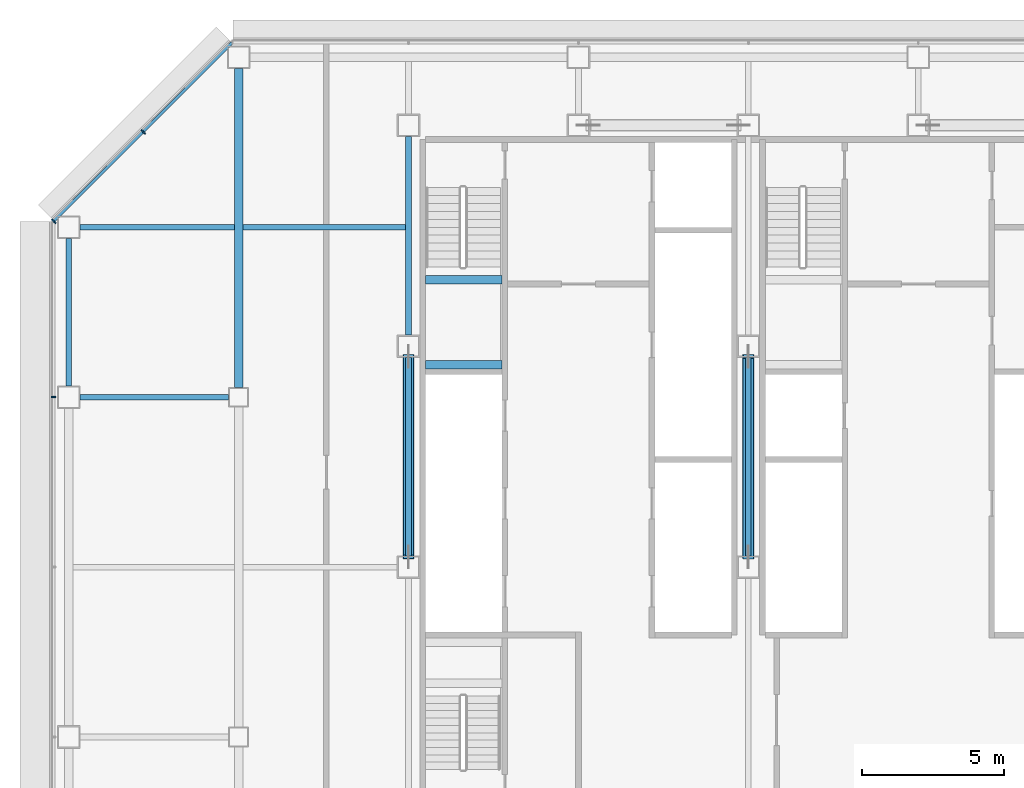
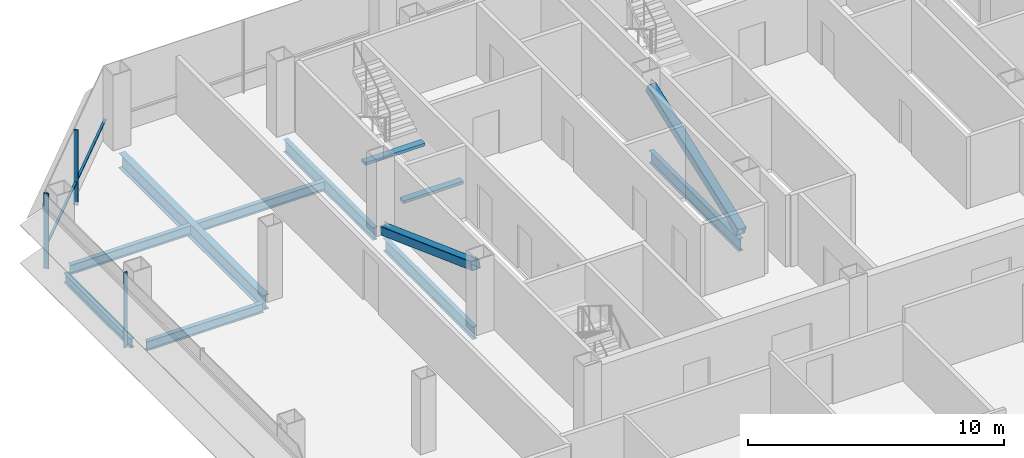
# One storey, part 11 of 25: 10 beams, 6 members, 2 elements without a shape of their own.
"""IFC4 building model written with IfcOpenShell, lengths in metres."""

from ifc_helpers import new_model, si_unit, direction, frame, origin, origin_2d, place, context, subcontext, project, spatial, rectangle, hollow_rectangle, i_section, extrude, material, material_profile, profile_set, type_object, element, aggregate, save


model = new_model("IFC4")

# Units and contexts
model_context = context("Model", 3, precision=1e-05, world=origin(), true_north=direction((0.0, 1.0)))
body_context = subcontext(model_context, "Body", "Model", "MODEL_VIEW")
ifc_project = project(units=[si_unit("LENGTHUNIT", "METRE"), si_unit("AREAUNIT", "SQUARE_METRE"), si_unit("VOLUMEUNIT", "CUBIC_METRE"), si_unit("PLANEANGLEUNIT", "RADIAN"), si_unit("MASSUNIT", "GRAM", prefix="KILO")], contexts=[model_context])

# Site, building, storey
site_placement = place(None, origin())
site = spatial("IfcSite", under=ifc_project, at=site_placement, CompositionType="ELEMENT")
building_placement = place(site_placement, origin())
building = spatial("IfcBuilding", under=site, at=building_placement, Name="Sorahane Residences", CompositionType="ELEMENT")
storey_placement = place(building_placement, frame((0.0, 0.0, 123.199951171875)))
storey = spatial("IfcBuildingStorey", under=building, at=storey_placement, Name="L27", CompositionType="ELEMENT", Elevation=123.199951171875)

# Members
ifc_material_1 = material(Name="Steel Q355B", Category="steel")
ifc_material_profile_1 = material_profile(ifc_material_1, hollow_rectangle(XDim=0.39990234375, YDim=0.39990234375, WallThickness=0.02001953125, InnerFilletRadius=0.010009765625, OuterFilletRadius=0.030029296875, at=origin_2d()), Name="RHS 400x400x20")
ifc_profile_set_1 = profile_set([ifc_material_profile_1], Name="Steel Q355B")
member_type_1 = type_object("IfcMemberType", Name="Core brace RHS 400x400x20 Q355B", PredefinedType="BRACE", material=ifc_profile_set_1)
for number, where, z_axis, x_axis, name in (
    (1, (6.0, 37.44140625, 0.184814453125), (0.0, -0.938733651637, 0.344643484319), (1.0, 0.0, 0.0), "Core brace L27 x6-2"),
    (2, (18.0, 30.358642578125, 0.184814453125), (0.0, 0.938733651637, 0.344643484319), (-1.0, 0.0, 0.0), "Core brace L27 x18-1"),
):
    element("IfcMember", number, at=place(storey_placement, frame(where, z_axis=z_axis, x_axis=x_axis)), inside=storey, type_object=member_type_1, Name=name, PredefinedType="BRACE", context=body_context, shape_type="SweptSolid", body=[
        extrude(hollow_rectangle(XDim=0.39990234375, YDim=0.39990234375, WallThickness=0.02001953125, InnerFilletRadius=0.010009765625, OuterFilletRadius=0.030029296875, at=origin_2d()), origin(), (0.0, 0.0, 1.0), 7.544921875),
    ])

# Curtain wall, member
ifc_material_2 = material(Name="Dark low-e glass and black anodised aluminium", Category="aluminium")
curtain_wall_type_1 = type_object("IfcCurtainWallType", Name="Curtain wall CW-1 Typical unitised wall", PredefinedType="NOTDEFINED", material=ifc_material_2)
curtain_wall_1_placement = place(storey_placement, origin())
curtain_wall_1 = element("IfcCurtainWall", 3, at=curtain_wall_1_placement, inside=storey, type_object=curtain_wall_type_1, Name="CW-1 curtain wall L27 W1", PredefinedType="NOTDEFINED")
ifc_material_3 = material(Name="Black anodised aluminium", Category="aluminium")
ifc_material_profile_2 = material_profile(ifc_material_3, rectangle(XDim=0.159912109375, YDim=0.050048828125, at=origin_2d()), Name="Curtain wall mullion CW-1 black anodised aluminium 50x160")
ifc_profile_set_2 = profile_set([ifc_material_profile_2], Name="Black anodised aluminium")
member_type_2 = type_object("IfcMemberType", Name="Curtain wall mullion CW-1 black anodised aluminium 50x160", PredefinedType="MULLION", material=ifc_profile_set_2)
member_1_placement = place(storey_placement, frame((-6.5400390625, 36.0, -0.179931640625), z_axis=(0.0, 0.0, 1.0), x_axis=(-1.0, 0.0, 0.0)))
member_1 = element("IfcMember", 4, at=member_1_placement, type_object=member_type_2, Name="CW-1 mullion L27 W1.2", PredefinedType="MULLION", context=body_context, shape_type="SweptSolid", body=[
    extrude(rectangle(XDim=0.159912109375, YDim=0.050048828125, at=origin_2d()), origin(), (0.0, 0.0, 1.0), 3.60009765625),
])
aggregate(curtain_wall_1, [member_1])

# Curtain wall, members
ifc_material_4 = material(Name="Dark low-e glass and black anodised aluminium", Category="aluminium")
curtain_wall_type_2 = type_object("IfcCurtainWallType", Name="Curtain wall CW-2 Chamfer unitised wall", PredefinedType="NOTDEFINED", material=ifc_material_4)
curtain_wall_2_placement = place(storey_placement, origin())
curtain_wall_2 = element("IfcCurtainWall", 5, at=curtain_wall_2_placement, inside=storey, type_object=curtain_wall_type_2, Name="CW-2 curtain wall L27 NW1", PredefinedType="NOTDEFINED")
ifc_material_5 = material(Name="Black anodised aluminium", Category="aluminium")
ifc_material_profile_3 = material_profile(ifc_material_5, rectangle(XDim=0.199951171875, YDim=0.050048828125, at=origin_2d()), Name="Curtain wall mullion CW-2 black anodised aluminium 50x200")
ifc_profile_set_3 = profile_set([ifc_material_profile_3], Name="Black anodised aluminium")
member_type_3 = type_object("IfcMemberType", Name="Curtain wall mullion CW-2 black anodised aluminium 50x200", PredefinedType="MULLION", material=ifc_profile_set_3)
member_2_placement = place(storey_placement, frame((-3.36767578125, 45.36767578125, -0.179931640625), z_axis=(0.0, 0.0, 1.0), x_axis=(-0.707106781187, 0.707106781187, 0.0)))
member_2 = element("IfcMember", 6, at=member_2_placement, type_object=member_type_3, Name="CW-2 mullion L27 NW1.2", PredefinedType="MULLION", context=body_context, shape_type="SweptSolid", body=[
    extrude(rectangle(XDim=0.199951171875, YDim=0.050048828125, at=origin_2d()), origin(), (0.0, 0.0, 1.0), 3.60009765625),
])
member_3_placement = place(storey_placement, frame((-6.525634765625, 42.209716796875, -0.179931640625), z_axis=(0.0, 0.0, 1.0), x_axis=(-0.707106781187, 0.707106781187, 0.0)))
member_3 = element("IfcMember", 7, at=member_3_placement, type_object=member_type_3, Name="CW-2 mullion L27 NW1.3", PredefinedType="MULLION", context=body_context, shape_type="SweptSolid", body=[
    extrude(rectangle(XDim=0.199951171875, YDim=0.050048828125, at=origin_2d()), origin(), (0.0, 0.0, 1.0), 3.60009765625),
])
ifc_material_6 = material(Name="Black anodised aluminium", Category="aluminium")
ifc_material_profile_4 = material_profile(ifc_material_6, rectangle(XDim=0.10009765625, YDim=0.06005859375, at=origin_2d()), Name="Curtain wall transom CW-2 black anodised aluminium 60x100")
ifc_profile_set_4 = profile_set([ifc_material_profile_4], Name="Black anodised aluminium")
member_type_4 = type_object("IfcMemberType", Name="Curtain wall transom CW-2 black anodised aluminium 60x100", PredefinedType="USERDEFINED", material=ifc_profile_set_4)
member_4_placement = place(storey_placement, frame((-0.234375, 48.51513671875, 0.900146484375), z_axis=(-0.707106781187, -0.707106781187, 0.0), x_axis=(0.707106781187, -0.707106781187, 0.0)))
member_4 = element("IfcMember", 8, at=member_4_placement, type_object=member_type_4, Name="CW-2 transom L27 NW1", ObjectType="TRANSOM", PredefinedType="USERDEFINED", context=body_context, shape_type="SweptSolid", body=[
    extrude(rectangle(XDim=0.10009765625, YDim=0.06005859375, at=origin_2d()), origin(), (0.0, 0.0, 1.0), 8.88232421875),
])
aggregate(curtain_wall_2, [member_2, member_3, member_4])

# Beams
ifc_material_7 = material(Name="Concrete C40", Category="concrete")
ifc_material_profile_5 = material_profile(ifc_material_7, rectangle(XDim=0.300048828125, YDim=0.139892578125, at=origin_2d()), Name="300x140")
ifc_profile_set_5 = profile_set([ifc_material_profile_5], Name="Concrete C40")
beam_type_1 = type_object("IfcBeamType", Name="RC landing beam 300 x 140 Concrete C40", PredefinedType="BEAM", material=ifc_profile_set_5)
for number, where, z_axis, x_axis, name in (
    (9, (6.60009765625, 37.14990234375, 1.530029296875), (1.0, 0.0, 0.0), (0.0, 1.0, 0.0), "Landing beam"),
    (10, (6.60009765625, 40.14990234375, 1.530029296875), (1.0, 0.0, 0.0), (0.0, 1.0, 0.0), "Landing beam"),
):
    element("IfcBeam", number, at=place(storey_placement, frame(where, z_axis=z_axis, x_axis=x_axis)), inside=storey, type_object=beam_type_1, Name=name, PredefinedType="BEAM", context=body_context, shape_type="SweptSolid", body=[
        extrude(rectangle(XDim=0.300048828125, YDim=0.139892578125, at=origin_2d()), origin(), (0.0, 0.0, 1.0), 2.699951171875),
    ])
ifc_material_8 = material(Name="Steel Q355B", Category="steel")
ifc_material_profile_6 = material_profile(ifc_material_8, i_section(OverallWidth=0.199951171875, OverallDepth=0.449951171875, WebThickness=0.009033203125, FlangeThickness=0.013916015625, FilletRadius=0.02001953125, at=origin_2d()), Name="HN 450x200x9x14")
ifc_profile_set_6 = profile_set([ifc_material_profile_6], Name="Steel Q355B")
beam_type_2 = type_object("IfcBeamType", Name="Steel floor beam HN 450x200x9x14 Q355B", PredefinedType="BEAM", material=ifc_profile_set_6)
beam_1_placement = place(storey_placement, frame((-5.60009765625, 36.0, -0.405029296875), z_axis=(1.0, 0.0, 0.0), x_axis=(0.0, 1.0, 0.0)))
element("IfcBeam", 11, at=beam_1_placement, inside=storey, type_object=beam_type_2, Name="Beam L27 013", PredefinedType="BEAM", context=body_context, shape_type="SweptSolid", body=[
    extrude(i_section(OverallWidth=0.199951171875, OverallDepth=0.449951171875, WebThickness=0.009033203125, FlangeThickness=0.013916015625, FilletRadius=0.02001953125, at=origin_2d()), origin(), (0.0, 0.0, 1.0), 5.25),
])
beam_2_placement = place(storey_placement, frame((-6.0, 36.39990234375, -0.405029296875), z_axis=(0.0, 1.0, 0.0), x_axis=(-1.0, 0.0, 0.0)))
element("IfcBeam", 12, at=beam_2_placement, inside=storey, type_object=beam_type_2, Name="Beam L27 023", PredefinedType="BEAM", context=body_context, shape_type="SweptSolid", body=[
    extrude(i_section(OverallWidth=0.199951171875, OverallDepth=0.449951171875, WebThickness=0.009033203125, FlangeThickness=0.013916015625, FilletRadius=0.02001953125, at=origin_2d()), origin(), (0.0, 0.0, 1.0), 5.2001953125),
])
beam_3_placement = place(storey_placement, frame((-5.60009765625, 42.0, -0.405029296875), z_axis=(1.0, 0.0, 0.0), x_axis=(0.0, 1.0, 0.0)))
element("IfcBeam", 13, at=beam_3_placement, inside=storey, type_object=beam_type_2, Name="Beam L27 089", PredefinedType="BEAM", context=body_context, shape_type="SweptSolid", body=[
    extrude(i_section(OverallWidth=0.199951171875, OverallDepth=0.449951171875, WebThickness=0.009033203125, FlangeThickness=0.013916015625, FilletRadius=0.02001953125, at=origin_2d()), origin(), (0.0, 0.0, 1.0), 5.4501953125),
])
beam_4_placement = place(storey_placement, frame((0.14990234375, 42.0, -0.405029296875), z_axis=(1.0, 0.0, 0.0), x_axis=(0.0, 1.0, 0.0)))
element("IfcBeam", 14, at=beam_4_placement, inside=storey, type_object=beam_type_2, Name="Beam L27 090", PredefinedType="BEAM", context=body_context, shape_type="SweptSolid", body=[
    extrude(i_section(OverallWidth=0.199951171875, OverallDepth=0.449951171875, WebThickness=0.009033203125, FlangeThickness=0.013916015625, FilletRadius=0.02001953125, at=origin_2d()), origin(), (0.0, 0.0, 1.0), 5.75),
])
ifc_material_9 = material(Name="Steel Q355B", Category="steel")
ifc_material_profile_7 = material_profile(ifc_material_9, i_section(OverallWidth=0.199951171875, OverallDepth=0.60009765625, WebThickness=0.010986328125, FlangeThickness=0.01708984375, FilletRadius=0.02392578125, at=origin_2d()), Name="HN 600x200x11x17")
ifc_profile_set_7 = profile_set([ifc_material_profile_7], Name="Steel Q355B")
beam_type_3 = type_object("IfcBeamType", Name="Steel floor beam HN 600x200x11x17 Q355B", PredefinedType="BEAM", material=ifc_profile_set_7)
for number, where, z_axis, x_axis, name in (
    (15, (6.0, 30.39990234375, -0.47998046875), (0.0, 1.0, 0.0), (-1.0, 0.0, 0.0), "Beam L27 031"),
    (16, (6.0, 38.199951171875, -0.47998046875), (0.0, 1.0, 0.0), (-1.0, 0.0, 0.0), "Beam L27 032"),
    (17, (18.0, 30.39990234375, -0.47998046875), (0.0, 1.0, 0.0), (-1.0, 0.0, 0.0), "Beam L27 039"),
):
    element("IfcBeam", number, at=place(storey_placement, frame(where, z_axis=z_axis, x_axis=x_axis)), inside=storey, type_object=beam_type_3, Name=name, PredefinedType="BEAM", context=body_context, shape_type="SweptSolid", body=[
        extrude(i_section(OverallWidth=0.199951171875, OverallDepth=0.60009765625, WebThickness=0.010986328125, FlangeThickness=0.01708984375, FilletRadius=0.02392578125, at=origin_2d()), origin(), (0.0, 0.0, 1.0), 7.0),
    ])
ifc_material_10 = material(Name="Steel Q355B", Category="steel")
ifc_material_profile_8 = material_profile(ifc_material_10, i_section(OverallWidth=0.300048828125, OverallDepth=0.699951171875, WebThickness=0.012939453125, FlangeThickness=0.02392578125, FilletRadius=0.028076171875, at=origin_2d()), Name="HN 700x300x13x24")
ifc_profile_set_8 = profile_set([ifc_material_profile_8], Name="Steel Q355B")
beam_type_4 = type_object("IfcBeamType", Name="Steel floor beam HN 700x300x13x24 Q355B", PredefinedType="BEAM", material=ifc_profile_set_8)
beam_5_placement = place(storey_placement, frame((0.0, 36.35009765625, -0.530029296875), z_axis=(0.0, 1.0, 0.0), x_axis=(-1.0, 0.0, 0.0)))
element("IfcBeam", 18, at=beam_5_placement, inside=storey, type_object=beam_type_4, Name="Beam L27 027", PredefinedType="BEAM", context=body_context, shape_type="SweptSolid", body=[
    extrude(i_section(OverallWidth=0.300048828125, OverallDepth=0.699951171875, WebThickness=0.012939453125, FlangeThickness=0.02392578125, FilletRadius=0.028076171875, at=origin_2d()), origin(), (0.0, 0.0, 1.0), 11.25),
])

save(model, "model.ifc")
